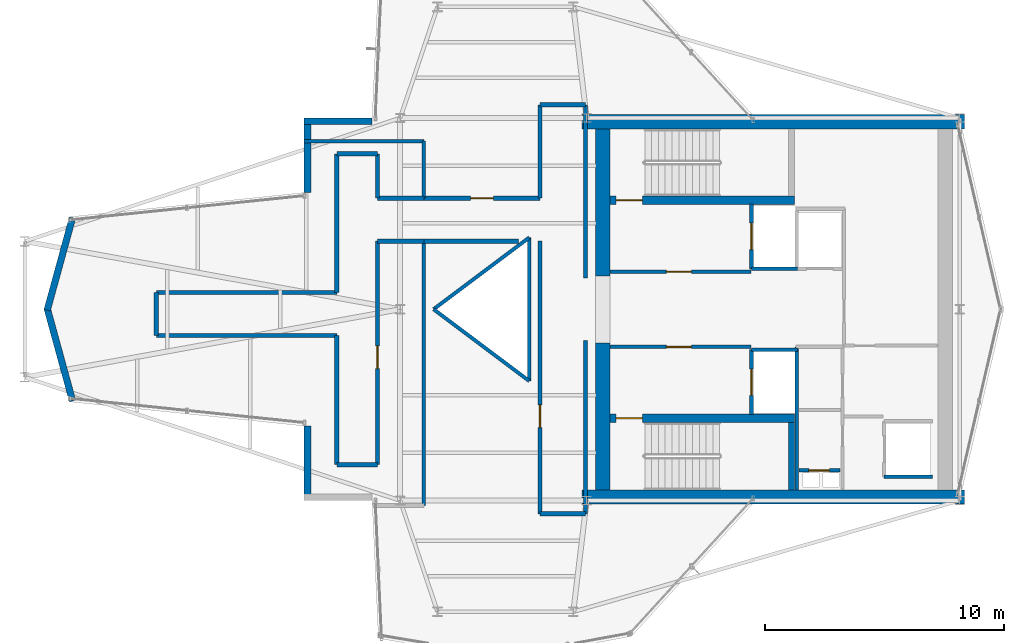
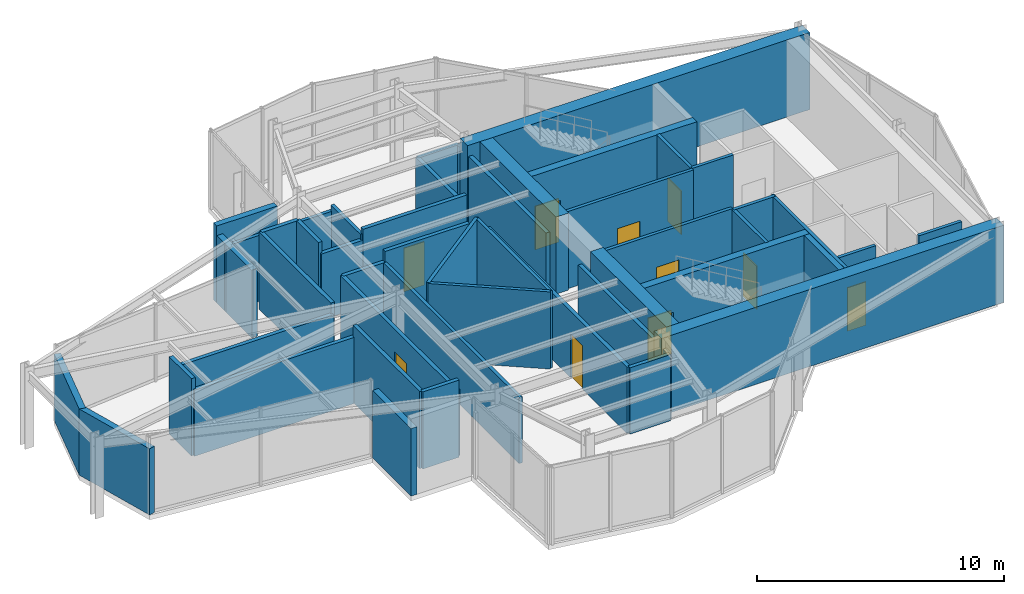
# One storey, part 11 of 13: 46 walls, 10 doors, 10 openings.
"""IFC4 building model written with IfcOpenShell, lengths in metres."""

from ifc_helpers import new_model, si_unit, direction, frame, frame_2d, origin, place, context, subcontext, project, spatial, rectangle, extrude, material, layer, layer_set, type_object, element, fill, save


model = new_model("IFC4")

# Units and contexts
model_context = context("Model", 3, precision=1e-05, world=origin(), true_north=direction((0.0, 1.0)))
body_context = subcontext(model_context, "Body", "Model", "MODEL_VIEW")
ifc_project = project(units=[si_unit("LENGTHUNIT", "METRE"), si_unit("AREAUNIT", "SQUARE_METRE"), si_unit("VOLUMEUNIT", "CUBIC_METRE"), si_unit("PLANEANGLEUNIT", "RADIAN"), si_unit("MASSUNIT", "GRAM", prefix="KILO")], contexts=[model_context])

# Site, building, storey
site_placement = place(None, origin())
site = spatial("IfcSite", under=ifc_project, at=site_placement, CompositionType="ELEMENT")
building_placement = place(site_placement, origin())
building = spatial("IfcBuilding", under=site, at=building_placement, Name="Veymaron Broadcast Tower", CompositionType="ELEMENT")
storey_placement = place(building_placement, frame((0.0, 0.0, 279.0)))
storey = spatial("IfcBuildingStorey", under=building, at=storey_placement, Name="L65", CompositionType="ELEMENT", Elevation=279.0)

# Walls
ifc_material_1 = material(Name="Precast concrete C40/50", Category="concrete")
ifc_layer_1 = layer(ifc_material_1, 0.280029296875)
ifc_layer_set_1 = layer_set([ifc_layer_1], Name="Precast concrete C40/50")
wall_type_1 = type_object("IfcWallType", Name="WALL-EXT-280", PredefinedType="STANDARD", material=ifc_layer_set_1)
wall_1_placement = place(storey_placement, frame((30.02197265625, 31.860107421875, 0.0), z_axis=(0.0, 0.0, 1.0), x_axis=(-1.0, 0.0, 0.0)))
element("IfcWall", 1, at=wall_1_placement, inside=storey, type_object=wall_type_1, Name="L65 notched corner facade pier 9-1", PredefinedType="STANDARD", context=body_context, shape_type="SweptSolid", body=[
    extrude(rectangle(XDim=2.83642578125, YDim=0.280029296875, at=frame_2d((1.418212890625, 0.0))), origin(), (0.0, 0.0, 1.0), 3.81005859375),
])
wall_2_placement = place(storey_placement, frame((27.32568359375, 32.0, 0.0), z_axis=(0.0, 0.0, 1.0), x_axis=(0.0, -1.0, 0.0)))
element("IfcWall", 2, at=wall_2_placement, inside=storey, type_object=wall_type_1, Name="L65 notched corner facade pier 10-1", PredefinedType="STANDARD", context=body_context, shape_type="SweptSolid", body=[
    extrude(rectangle(XDim=3.114013671875, YDim=0.280029296875, at=frame_2d((1.55712890625, 0.0))), origin(), (0.0, 0.0, 1.0), 3.339111328125),
])
for number, where, z_axis, x_axis, name in (
    (3, (17.4951171875, 27.83349609375, 0.0), (0.0, 0.0, 1.0), (-0.264373116581, -0.964420476364, 0.0), "L65 notched corner facade pier 12-1"),
    (4, (16.43408203125, 24.037109375, 0.0), (0.0, 0.0, 1.0), (0.264373116581, -0.964420476364, 0.0), "L65 notched corner facade pier 13-1"),
):
    element("IfcWall", number, at=place(storey_placement, frame(where, z_axis=z_axis, x_axis=x_axis)), inside=storey, type_object=wall_type_1, Name=name, PredefinedType="STANDARD", context=body_context, shape_type="SweptSolid", body=[
        extrude(rectangle(XDim=4.013427734375, YDim=0.280029296875, at=frame_2d((2.0068359375, 0.0))), origin(), (0.0, 0.0, 1.0), 3.27001953125),
    ])
wall_3_placement = place(storey_placement, frame((27.32568359375, 19.114013671875, 0.0), z_axis=(0.0, 0.0, 1.0), x_axis=(0.0, -1.0, 0.0)))
element("IfcWall", 5, at=wall_3_placement, inside=storey, type_object=wall_type_1, Name="L65 notched corner facade pier 15-1", PredefinedType="STANDARD", context=body_context, shape_type="SweptSolid", body=[
    extrude(rectangle(XDim=3.114013671875, YDim=0.280029296875, at=frame_2d((1.55712890625, 0.0))), origin(), (0.0, 0.0, 1.0), 3.339111328125),
])

# Wall, opening, door
ifc_material_2 = material(Name="Gypsum fireboard and steel stud framing", Category="steel")
ifc_layer_2 = layer(ifc_material_2, 0.14990234375)
ifc_layer_set_2 = layer_set([ifc_layer_2], Name="Gypsum fireboard and steel stud framing")
wall_type_2 = type_object("IfcWallType", Name="WALL-FIRE-150", PredefinedType="PARTITIONING", material=ifc_layer_set_2)
wall_4_placement = place(storey_placement, frame((39.97998046875, 25.574951171875, 0.0), z_axis=(0.0, 0.0, 1.0), x_axis=(1.0, 0.0, 0.0)))
wall_4 = element("IfcWall", 6, at=wall_4_placement, inside=storey, type_object=wall_type_2, Name="L65 partition IW-L65-FFLN-S", PredefinedType="PARTITIONING", context=body_context, shape_type="SweptSolid", body=[
    extrude(rectangle(XDim=5.89990234375, YDim=0.14990234375, at=frame_2d((2.949951171875, 0.0))), origin(), (0.0, 0.0, 1.0), 3.81005859375),
])
opening_1_placement = place(wall_4_placement, frame((2.35009765625, 0.0, 0.0)))
opening_1 = element("IfcOpeningElement", 7, at=opening_1_placement, cuts=wall_4, Name="Opening ID-FL1", PredefinedType="OPENING", context=body_context, shape_type="SweptSolid", body=[
    extrude(rectangle(XDim=1.050048828125, YDim=2.14990234375, at=frame_2d((0.52490234375, 1.074951171875))), frame((0.0, 0.0849609375, 0.0), z_axis=(0.0, -1.0, 0.0), x_axis=(1.0, 0.0, 0.0)), (0.0, 0.0, 1.0), 0.169921875),
])
ifc_material_3 = material(Name="Fire-rated painted hollow steel ASTM A653", Category="steel")
door_type_1 = type_object("IfcDoorType", Name="DOOR-FIRE-1050", OperationType="NOTDEFINED", PredefinedType="DOOR", material=ifc_material_3)
door_1_placement = place(opening_1_placement, origin())
door_1 = element("IfcDoor", 8, at=door_1_placement, inside=storey, type_object=door_type_1, Name="L65 door DR-L65-FFLN", OperationType="SINGLE_SWING_LEFT", OverallHeight=2.14990234375, OverallWidth=1.050048828125, PredefinedType="DOOR", context=body_context, shape_type="SweptSolid", body=[
    extrude(rectangle(XDim=1.050048828125, YDim=2.14990234375, at=frame_2d((0.52490234375, 1.074951171875))), frame((0.0, 0.02490234375, 0.0), z_axis=(0.0, -1.0, 0.0), x_axis=(1.0, 0.0, 0.0)), (0.0, 0.0, 1.0), 0.050048828125),
])
fill(opening_1, door_1)

wall_5_placement = place(storey_placement, frame((39.97998046875, 22.425048828125, 0.0), z_axis=(0.0, 0.0, 1.0), x_axis=(1.0, 0.0, 0.0)))
wall_5 = element("IfcWall", 9, at=wall_5_placement, inside=storey, type_object=wall_type_2, Name="L65 partition IW-L65-FFLS-N", PredefinedType="PARTITIONING", context=body_context, shape_type="SweptSolid", body=[
    extrude(rectangle(XDim=5.89990234375, YDim=0.14990234375, at=frame_2d((2.949951171875, 0.0))), origin(), (0.0, 0.0, 1.0), 3.81005859375),
])
opening_2_placement = place(wall_5_placement, frame((2.35009765625, 0.0, 0.0)))
opening_2 = element("IfcOpeningElement", 10, at=opening_2_placement, cuts=wall_5, Name="Opening ID-FL1", PredefinedType="OPENING", context=body_context, shape_type="SweptSolid", body=[
    extrude(rectangle(XDim=1.050048828125, YDim=2.14990234375, at=frame_2d((0.52490234375, 1.074951171875))), frame((0.0, 0.0849609375, 0.0), z_axis=(0.0, -1.0, 0.0), x_axis=(1.0, 0.0, 0.0)), (0.0, 0.0, 1.0), 0.169921875),
])
door_2_placement = place(opening_2_placement, frame((1.050048828125, 0.0, 0.0), z_axis=(0.0, 0.0, 1.0), x_axis=(-1.0, 0.0, 0.0)))
door_2 = element("IfcDoor", 11, at=door_2_placement, inside=storey, type_object=door_type_1, Name="L65 door DR-L65-FFLS", OperationType="SINGLE_SWING_RIGHT", OverallHeight=2.14990234375, OverallWidth=1.050048828125, PredefinedType="DOOR", context=body_context, shape_type="SweptSolid", body=[
    extrude(rectangle(XDim=1.050048828125, YDim=2.14990234375, at=frame_2d((0.52490234375, 1.074951171875))), frame((0.0, 0.02490234375, 0.0), z_axis=(0.0, -1.0, 0.0), x_axis=(1.0, 0.0, 0.0)), (0.0, 0.0, 1.0), 0.050048828125),
])
fill(opening_2, door_2)

wall_6_placement = place(storey_placement, frame((45.89501953125, 25.68994140625, 0.0), z_axis=(0.0, 0.0, 1.0), x_axis=(0.0, 1.0, 0.0)))
wall_6 = element("IfcWall", 12, at=wall_6_placement, inside=storey, type_object=wall_type_2, Name="L65 partition IW-L65-SHW-FFL-1", PredefinedType="PARTITIONING", context=body_context, shape_type="SweptSolid", body=[
    extrude(rectangle(XDim=2.719970703125, YDim=0.14990234375, at=frame_2d((1.35986328125, 0.0))), origin(), (0.0, 0.0, 1.0), 3.81005859375),
])
opening_3_placement = place(wall_6_placement, frame((0.81005859375, 0.0, 0.0)))
opening_3 = element("IfcOpeningElement", 13, at=opening_3_placement, cuts=wall_6, Name="Opening LD", PredefinedType="OPENING", context=body_context, shape_type="SweptSolid", body=[
    extrude(rectangle(XDim=1.10009765625, YDim=2.14990234375, at=frame_2d((0.550048828125, 1.074951171875))), frame((0.0, 0.0849609375, 0.0), z_axis=(0.0, -1.0, 0.0), x_axis=(1.0, 0.0, 0.0)), (0.0, 0.0, 1.0), 0.169921875),
])
ifc_material_4 = material(Name="Brushed stainless steel AISI 304", Category="steel")
door_type_2 = type_object("IfcDoorType", Name="DOOR-LIFT-1100", OperationType="DOUBLE_DOOR_SLIDING", PredefinedType="DOOR", material=ifc_material_4)
door_3_placement = place(opening_3_placement, frame((1.10009765625, 0.0, 0.0), z_axis=(0.0, 0.0, 1.0), x_axis=(-1.0, 0.0, 0.0)))
door_3 = element("IfcDoor", 14, at=door_3_placement, inside=storey, type_object=door_type_2, Name="L65 door LD-L65-FFL-1", OperationType="DOUBLE_DOOR_SLIDING", OverallHeight=2.14990234375, OverallWidth=1.10009765625, PredefinedType="DOOR", context=body_context, shape_type="SweptSolid", body=[
    extrude(rectangle(XDim=1.10009765625, YDim=2.14990234375, at=frame_2d((0.550048828125, 1.074951171875))), frame((0.0, 0.02490234375, 0.0), z_axis=(0.0, -1.0, 0.0), x_axis=(1.0, 0.0, 0.0)), (0.0, 0.0, 1.0), 0.050048828125),
])
fill(opening_3, door_3)

# Wall
wall_7_placement = place(storey_placement, frame((45.89501953125, 25.68994140625, 0.0), z_axis=(0.0, 0.0, 1.0), x_axis=(1.0, 0.0, 0.0)))
element("IfcWall", 15, at=wall_7_placement, inside=storey, type_object=wall_type_2, Name="L65 partition IW-L65-SHS-FFL-1", PredefinedType="PARTITIONING", context=body_context, shape_type="SweptSolid", body=[
    extrude(rectangle(XDim=1.9150390625, YDim=0.14990234375, at=frame_2d((0.95751953125, 0.0))), origin(), (0.0, 0.0, 1.0), 3.81005859375),
])

# Wall, opening, door
wall_8_placement = place(storey_placement, frame((45.89501953125, 19.590087890625, 0.0), z_axis=(0.0, 0.0, 1.0), x_axis=(0.0, 1.0, 0.0)))
wall_8 = element("IfcWall", 16, at=wall_8_placement, inside=storey, type_object=wall_type_2, Name="L65 partition IW-L65-SHW-FFL-2", PredefinedType="PARTITIONING", context=body_context, shape_type="SweptSolid", body=[
    extrude(rectangle(XDim=2.719970703125, YDim=0.14990234375, at=frame_2d((1.35986328125, 0.0))), origin(), (0.0, 0.0, 1.0), 3.81005859375),
])
opening_4_placement = place(wall_8_placement, frame((0.81005859375, 0.0, 0.0)))
opening_4 = element("IfcOpeningElement", 17, at=opening_4_placement, cuts=wall_8, Name="Opening LD", PredefinedType="OPENING", context=body_context, shape_type="SweptSolid", body=[
    extrude(rectangle(XDim=1.10009765625, YDim=2.14990234375, at=frame_2d((0.550048828125, 1.074951171875))), frame((0.0, 0.0849609375, 0.0), z_axis=(0.0, -1.0, 0.0), x_axis=(1.0, 0.0, 0.0)), (0.0, 0.0, 1.0), 0.169921875),
])
door_4_placement = place(opening_4_placement, frame((1.10009765625, 0.0, 0.0), z_axis=(0.0, 0.0, 1.0), x_axis=(-1.0, 0.0, 0.0)))
door_4 = element("IfcDoor", 18, at=door_4_placement, inside=storey, type_object=door_type_2, Name="L65 door LD-L65-FFL-2", OperationType="DOUBLE_DOOR_SLIDING", OverallHeight=2.14990234375, OverallWidth=1.10009765625, PredefinedType="DOOR", context=body_context, shape_type="SweptSolid", body=[
    extrude(rectangle(XDim=1.10009765625, YDim=2.14990234375, at=frame_2d((0.550048828125, 1.074951171875))), frame((0.0, 0.02490234375, 0.0), z_axis=(0.0, -1.0, 0.0), x_axis=(1.0, 0.0, 0.0)), (0.0, 0.0, 1.0), 0.050048828125),
])
fill(opening_4, door_4)

# Walls
wall_9_placement = place(storey_placement, frame((45.89501953125, 22.31005859375, 0.0), z_axis=(0.0, 0.0, 1.0), x_axis=(1.0, 0.0, 0.0)))
element("IfcWall", 19, at=wall_9_placement, inside=storey, type_object=wall_type_2, Name="L65 partition IW-L65-SHN-FFL-2", PredefinedType="PARTITIONING", context=body_context, shape_type="SweptSolid", body=[
    extrude(rectangle(XDim=1.9150390625, YDim=0.14990234375, at=frame_2d((0.95751953125, 0.0))), origin(), (0.0, 0.0, 1.0), 3.81005859375),
])
wall_10_placement = place(storey_placement, frame((51.445068359375, 16.989990234375, 0.0), z_axis=(0.0, 0.0, 1.0), x_axis=(1.0, 0.0, 0.0)))
element("IfcWall", 20, at=wall_10_placement, inside=storey, type_object=wall_type_2, Name="L65 partition IW-L65-SHS-PH1", PredefinedType="PARTITIONING", context=body_context, shape_type="SweptSolid", body=[
    extrude(rectangle(XDim=2.014892578125, YDim=0.14990234375, at=frame_2d((1.00732421875, 0.0))), origin(), (0.0, 0.0, 1.0), 3.81005859375),
])

# Wall, opening, door
wall_11_placement = place(storey_placement, frame((47.8798828125, 17.260009765625, 0.0), z_axis=(0.0, 0.0, 1.0), x_axis=(1.0, 0.0, 0.0)))
wall_11 = element("IfcWall", 21, at=wall_11_placement, inside=storey, type_object=wall_type_2, Name="L65 partition IW-L65-RIS-N", PredefinedType="PARTITIONING", context=body_context, shape_type="SweptSolid", body=[
    extrude(rectangle(XDim=1.72021484375, YDim=0.14990234375, at=frame_2d((0.860107421875, 0.0))), origin(), (0.0, 0.0, 1.0), 3.81005859375),
])
opening_5_placement = place(wall_11_placement, frame((0.419921875, 0.0, 0.0)))
opening_5 = element("IfcOpeningElement", 22, at=opening_5_placement, cuts=wall_11, Name="Opening ID-RS1", PredefinedType="OPENING", context=body_context, shape_type="SweptSolid", body=[
    extrude(rectangle(XDim=0.85009765625, YDim=2.14990234375, at=frame_2d((0.425048828125, 1.074951171875))), frame((0.0, 0.0849609375, 0.0), z_axis=(0.0, -1.0, 0.0), x_axis=(1.0, 0.0, 0.0)), (0.0, 0.0, 1.0), 0.169921875),
])
ifc_material_5 = material(Name="Fire-rated powder-coated steel riser leaf", Category="steel")
door_type_3 = type_object("IfcDoorType", Name="DOOR-RIS-850", OperationType="NOTDEFINED", PredefinedType="TRAPDOOR", material=ifc_material_5)
door_5_placement = place(opening_5_placement, origin())
door_5 = element("IfcDoor", 23, at=door_5_placement, inside=storey, type_object=door_type_3, Name="L65 door DR-L65-RIS", OperationType="SINGLE_SWING_LEFT", OverallHeight=2.14990234375, OverallWidth=0.85009765625, PredefinedType="TRAPDOOR", context=body_context, shape_type="SweptSolid", body=[
    extrude(rectangle(XDim=0.85009765625, YDim=2.14990234375, at=frame_2d((0.425048828125, 1.074951171875))), frame((0.0, 0.02490234375, 0.0), z_axis=(0.0, -1.0, 0.0), x_axis=(1.0, 0.0, 0.0)), (0.0, 0.0, 1.0), 0.050048828125),
])
fill(opening_5, door_5)

# Wall
wall_12_placement = place(storey_placement, frame((47.780029296875, 16.449951171875, 0.0), z_axis=(0.0, 0.0, 1.0), x_axis=(0.0, 1.0, 0.0)))
element("IfcWall", 24, at=wall_12_placement, inside=storey, type_object=wall_type_2, Name="L65 partition IW-L65-SM-W", PredefinedType="PARTITIONING", context=body_context, shape_type="SweptSolid", body=[
    extrude(rectangle(XDim=5.97509765625, YDim=0.14990234375, at=frame_2d((2.987548828125, 0.0))), origin(), (0.0, 0.0, 1.0), 3.81005859375),
])

# Wall, opening, door
ifc_material_6 = material(Name="Concrete C40/50", Category="concrete")
ifc_layer_3 = layer(ifc_material_6, 0.179931640625)
ifc_layer_set_3 = layer_set([ifc_layer_3], Name="Concrete C40/50")
wall_type_3 = type_object("IfcWallType", Name="WALL-FIRE-180", PredefinedType="SOLIDWALL", material=ifc_layer_set_3)
wall_13_placement = place(storey_placement, frame((37.050048828125, 15.44677734375, 0.0), z_axis=(0.0, 0.0, 1.0), x_axis=(0.0, 1.0, 0.0)))
wall_13 = element("IfcWall", 25, at=wall_13_placement, inside=storey, type_object=wall_type_3, Name="L65 partition IW-L65-P01", PredefinedType="SOLIDWALL", context=body_context, shape_type="SweptSolid", body=[
    extrude(rectangle(XDim=11.4033203125, YDim=0.179931640625, at=frame_2d((5.70166015625, 0.0))), origin(), (0.0, 0.0, 1.0), 3.27001953125),
])
opening_6_placement = place(wall_13_placement, frame((3.606689453125, 0.0, 0.0)))
opening_6 = element("IfcOpeningElement", 26, at=opening_6_placement, cuts=wall_13, Name="Opening ID-RM1", PredefinedType="OPENING", context=body_context, shape_type="SweptSolid", body=[
    extrude(rectangle(XDim=0.949951171875, YDim=2.14990234375, at=frame_2d((0.47509765625, 1.074951171875))), frame((0.0, 0.10009765625, 0.0), z_axis=(0.0, -1.0, 0.0), x_axis=(1.0, 0.0, 0.0)), (0.0, 0.0, 1.0), 0.199951171875),
])
ifc_material_7 = material(Name="Acoustic solid-core European oak veneer timber", Category="wood")
door_type_4 = type_object("IfcDoorType", Name="DOOR-INT-950", OperationType="NOTDEFINED", PredefinedType="DOOR", material=ifc_material_7)
door_6_placement = place(opening_6_placement, frame((0.949951171875, 0.0, 0.0), z_axis=(0.0, 0.0, 1.0), x_axis=(-1.0, 0.0, 0.0)))
door_6 = element("IfcDoor", 27, at=door_6_placement, inside=storey, type_object=door_type_4, Name="L65 door DR-L65-P01", OperationType="SINGLE_SWING_RIGHT", OverallHeight=2.14990234375, OverallWidth=0.949951171875, PredefinedType="DOOR", context=body_context, shape_type="SweptSolid", body=[
    extrude(rectangle(XDim=0.949951171875, YDim=2.14990234375, at=frame_2d((0.47509765625, 1.074951171875))), frame((0.0, 0.02490234375, 0.0), z_axis=(0.0, -1.0, 0.0), x_axis=(1.0, 0.0, 0.0)), (0.0, 0.0, 1.0), 0.050048828125),
])
fill(opening_6, door_6)

wall_14_placement = place(storey_placement, frame((30.25, 17.5, 0.0), z_axis=(0.0, 0.0, 1.0), x_axis=(0.0, 1.0, 0.0)))
wall_14 = element("IfcWall", 28, at=wall_14_placement, inside=storey, type_object=wall_type_3, Name="L65 partition IW-L65-P05", PredefinedType="SOLIDWALL", context=body_context, shape_type="SweptSolid", body=[
    extrude(rectangle(XDim=9.35009765625, YDim=0.179931640625, at=frame_2d((4.675048828125, 0.0))), origin(), (0.0, 0.0, 1.0), 3.27001953125),
])
opening_7_placement = place(wall_14_placement, frame((4.02001953125, 0.0, 0.0)))
opening_7 = element("IfcOpeningElement", 29, at=opening_7_placement, cuts=wall_14, Name="Opening ID-RM1", PredefinedType="OPENING", context=body_context, shape_type="SweptSolid", body=[
    extrude(rectangle(XDim=0.949951171875, YDim=2.14990234375, at=frame_2d((0.47509765625, 1.074951171875))), frame((0.0, 0.10009765625, 0.0), z_axis=(0.0, -1.0, 0.0), x_axis=(1.0, 0.0, 0.0)), (0.0, 0.0, 1.0), 0.199951171875),
])
door_7_placement = place(opening_7_placement, frame((0.949951171875, 0.0, 0.0), z_axis=(0.0, 0.0, 1.0), x_axis=(-1.0, 0.0, 0.0)))
door_7 = element("IfcDoor", 30, at=door_7_placement, inside=storey, type_object=door_type_4, Name="L65 door DR-L65-P05", OperationType="SINGLE_SWING_RIGHT", OverallHeight=2.14990234375, OverallWidth=0.949951171875, PredefinedType="DOOR", context=body_context, shape_type="SweptSolid", body=[
    extrude(rectangle(XDim=0.949951171875, YDim=2.14990234375, at=frame_2d((0.47509765625, 1.074951171875))), frame((0.0, 0.02490234375, 0.0), z_axis=(0.0, -1.0, 0.0), x_axis=(1.0, 0.0, 0.0)), (0.0, 0.0, 1.0), 0.050048828125),
])
fill(opening_7, door_7)

wall_15_placement = place(storey_placement, frame((32.194091796875, 28.64990234375, 0.0), z_axis=(0.0, 0.0, 1.0), x_axis=(1.0, 0.0, 0.0)))
wall_15 = element("IfcWall", 31, at=wall_15_placement, inside=storey, type_object=wall_type_3, Name="L65 partition IW-L65-P17", PredefinedType="SOLIDWALL", context=body_context, shape_type="SweptSolid", body=[
    extrude(rectangle(XDim=4.85595703125, YDim=0.179931640625, at=frame_2d((2.427978515625, 0.0))), origin(), (0.0, 0.0, 1.0), 3.81005859375),
])
opening_8_placement = place(wall_15_placement, frame((1.952880859375, 0.0, 0.0)))
opening_8 = element("IfcOpeningElement", 32, at=opening_8_placement, cuts=wall_15, Name="Opening ID-RM1", PredefinedType="OPENING", context=body_context, shape_type="SweptSolid", body=[
    extrude(rectangle(XDim=0.949951171875, YDim=2.14990234375, at=frame_2d((0.47509765625, 1.074951171875))), frame((0.0, 0.10009765625, 0.0), z_axis=(0.0, -1.0, 0.0), x_axis=(1.0, 0.0, 0.0)), (0.0, 0.0, 1.0), 0.199951171875),
])
door_8_placement = place(opening_8_placement, origin())
door_8 = element("IfcDoor", 33, at=door_8_placement, inside=storey, type_object=door_type_4, Name="L65 door DR-L65-P17", OperationType="SINGLE_SWING_RIGHT", OverallHeight=2.14990234375, OverallWidth=0.949951171875, PredefinedType="DOOR", context=body_context, shape_type="SweptSolid", body=[
    extrude(rectangle(XDim=0.949951171875, YDim=2.14990234375, at=frame_2d((0.47509765625, 1.074951171875))), frame((0.0, 0.02490234375, 0.0), z_axis=(0.0, -1.0, 0.0), x_axis=(1.0, 0.0, 0.0)), (0.0, 0.0, 1.0), 0.050048828125),
])
fill(opening_8, door_8)

# Walls
wall_16_placement = place(storey_placement, frame((38.949951171875, 15.44677734375, 0.0), z_axis=(0.0, 0.0, 1.0), x_axis=(0.0, 1.0, 0.0)))
element("IfcWall", 34, at=wall_16_placement, inside=storey, type_object=wall_type_3, Name="L65 partition IW-L65-P02", PredefinedType="SOLIDWALL", context=body_context, shape_type="SweptSolid", body=[
    extrude(rectangle(XDim=7.253173828125, YDim=0.179931640625, at=frame_2d((3.62646484375, 0.0))), origin(), (0.0, 0.0, 1.0), 3.27001953125),
])
wall_17_placement = place(storey_placement, frame((32.194091796875, 26.85009765625, 0.0), z_axis=(0.0, 0.0, 1.0), x_axis=(1.0, 0.0, 0.0)))
element("IfcWall", 35, at=wall_17_placement, inside=storey, type_object=wall_type_3, Name="L65 partition IW-L65-P03", PredefinedType="SOLIDWALL", context=body_context, shape_type="SweptSolid", body=[
    extrude(rectangle(XDim=3.955810546875, YDim=0.179931640625, at=frame_2d((1.97802734375, 0.0))), origin(), (0.0, 0.0, 1.0), 3.81005859375),
])
wall_18_placement = place(storey_placement, frame((37.050048828125, 15.44677734375, 0.0), z_axis=(0.0, 0.0, 1.0), x_axis=(1.0, 0.0, 0.0)))
element("IfcWall", 36, at=wall_18_placement, inside=storey, type_object=wall_type_3, Name="L65 partition IW-L65-P04", PredefinedType="SOLIDWALL", context=body_context, shape_type="SweptSolid", body=[
    extrude(rectangle(XDim=1.89990234375, YDim=0.179931640625, at=frame_2d((0.949951171875, 0.0))), origin(), (0.0, 0.0, 1.0), 3.27001953125),
])
for number, where, z_axis, x_axis, name in (
    (37, (21.0, 22.89990234375, 0.0), (0.0, 0.0, 1.0), (1.0, 0.0, 0.0), "L65 partition IW-L65-P06"),
    (38, (21.0, 24.699951171875, 0.0), (0.0, 0.0, 1.0), (1.0, 0.0, 0.0), "L65 partition IW-L65-P07"),
):
    element("IfcWall", number, at=place(storey_placement, frame(where, z_axis=z_axis, x_axis=x_axis)), inside=storey, type_object=wall_type_3, Name=name, PredefinedType="SOLIDWALL", context=body_context, shape_type="SweptSolid", body=[
        extrude(rectangle(XDim=7.550048828125, YDim=0.179931640625, at=frame_2d((3.77490234375, 0.0))), origin(), (0.0, 0.0, 1.0), 3.27001953125),
    ])
wall_19_placement = place(storey_placement, frame((28.550048828125, 24.699951171875, 0.0), z_axis=(0.0, 0.0, 1.0), x_axis=(0.0, 1.0, 0.0)))
element("IfcWall", 39, at=wall_19_placement, inside=storey, type_object=wall_type_3, Name="L65 partition IW-L65-P08", PredefinedType="SOLIDWALL", context=body_context, shape_type="SweptSolid", body=[
    extrude(rectangle(XDim=5.800048828125, YDim=0.179931640625, at=frame_2d((2.89990234375, 0.0))), origin(), (0.0, 0.0, 1.0), 3.81005859375),
])
wall_20_placement = place(storey_placement, frame((28.550048828125, 17.5, 0.0), z_axis=(0.0, 0.0, 1.0), x_axis=(0.0, 1.0, 0.0)))
element("IfcWall", 40, at=wall_20_placement, inside=storey, type_object=wall_type_3, Name="L65 partition IW-L65-P09", PredefinedType="SOLIDWALL", context=body_context, shape_type="SweptSolid", body=[
    extrude(rectangle(XDim=5.39990234375, YDim=0.179931640625, at=frame_2d((2.699951171875, 0.0))), origin(), (0.0, 0.0, 1.0), 3.81005859375),
])
for number, where, z_axis, x_axis, name in (
    (41, (30.25, 26.85009765625, 0.0), (0.0, 0.0, 1.0), (1.0, 0.0, 0.0), "L65 partition IW-L65-P10"),
    (42, (30.25, 28.64990234375, 0.0), (0.0, 0.0, 1.0), (1.0, 0.0, 0.0), "L65 partition IW-L65-P11"),
):
    element("IfcWall", number, at=place(storey_placement, frame(where, z_axis=z_axis, x_axis=x_axis)), inside=storey, type_object=wall_type_3, Name=name, PredefinedType="SOLIDWALL", context=body_context, shape_type="SweptSolid", body=[
        extrude(rectangle(XDim=1.944091796875, YDim=0.179931640625, at=frame_2d((0.97216796875, 0.0))), origin(), (0.0, 0.0, 1.0), 3.27001953125),
    ])
wall_21_placement = place(storey_placement, frame((30.25, 28.64990234375, 0.0), z_axis=(0.0, 0.0, 1.0), x_axis=(0.0, 1.0, 0.0)))
element("IfcWall", 43, at=wall_21_placement, inside=storey, type_object=wall_type_3, Name="L65 partition IW-L65-P12", PredefinedType="SOLIDWALL", context=body_context, shape_type="SweptSolid", body=[
    extrude(rectangle(XDim=1.85009765625, YDim=0.179931640625, at=frame_2d((0.925048828125, 0.0))), origin(), (0.0, 0.0, 1.0), 3.81005859375),
])
wall_22_placement = place(storey_placement, frame((21.0, 22.89990234375, 0.0), z_axis=(0.0, 0.0, 1.0), x_axis=(0.0, 1.0, 0.0)))
element("IfcWall", 44, at=wall_22_placement, inside=storey, type_object=wall_type_3, Name="L65 partition IW-L65-P13", PredefinedType="SOLIDWALL", context=body_context, shape_type="SweptSolid", body=[
    extrude(rectangle(XDim=1.800048828125, YDim=0.179931640625, at=frame_2d((0.89990234375, 0.0))), origin(), (0.0, 0.0, 1.0), 3.81005859375),
])
for number, where, z_axis, x_axis, name in (
    (45, (28.550048828125, 17.5, 0.0), (0.0, 0.0, 1.0), (1.0, 0.0, 0.0), "L65 partition IW-L65-P14"),
    (46, (28.550048828125, 30.5, 0.0), (0.0, 0.0, 1.0), (1.0, 0.0, 0.0), "L65 partition IW-L65-P15"),
):
    element("IfcWall", number, at=place(storey_placement, frame(where, z_axis=z_axis, x_axis=x_axis)), inside=storey, type_object=wall_type_3, Name=name, PredefinedType="SOLIDWALL", context=body_context, shape_type="SweptSolid", body=[
        extrude(rectangle(XDim=1.699951171875, YDim=0.179931640625, at=frame_2d((0.85009765625, 0.0))), origin(), (0.0, 0.0, 1.0), 3.81005859375),
    ])
wall_23_placement = place(storey_placement, frame((38.949951171875, 25.300048828125, 0.0), z_axis=(0.0, 0.0, 1.0), x_axis=(0.0, 1.0, 0.0)))
element("IfcWall", 47, at=wall_23_placement, inside=storey, type_object=wall_type_3, Name="L65 partition IW-L65-P16", PredefinedType="SOLIDWALL", context=body_context, shape_type="SweptSolid", body=[
    extrude(rectangle(XDim=7.253173828125, YDim=0.179931640625, at=frame_2d((3.62646484375, 0.0))), origin(), (0.0, 0.0, 1.0), 3.27001953125),
])
wall_24_placement = place(storey_placement, frame((37.050048828125, 28.64990234375, 0.0), z_axis=(0.0, 0.0, 1.0), x_axis=(0.0, 1.0, 0.0)))
element("IfcWall", 48, at=wall_24_placement, inside=storey, type_object=wall_type_3, Name="L65 partition IW-L65-P18", PredefinedType="SOLIDWALL", context=body_context, shape_type="SweptSolid", body=[
    extrude(rectangle(XDim=3.9033203125, YDim=0.179931640625, at=frame_2d((1.95166015625, 0.0))), origin(), (0.0, 0.0, 1.0), 3.27001953125),
])
wall_25_placement = place(storey_placement, frame((37.050048828125, 32.55322265625, 0.0), z_axis=(0.0, 0.0, 1.0), x_axis=(1.0, 0.0, 0.0)))
element("IfcWall", 49, at=wall_25_placement, inside=storey, type_object=wall_type_3, Name="L65 partition IW-L65-P19", PredefinedType="SOLIDWALL", context=body_context, shape_type="SweptSolid", body=[
    extrude(rectangle(XDim=1.89990234375, YDim=0.179931640625, at=frame_2d((0.949951171875, 0.0))), origin(), (0.0, 0.0, 1.0), 3.27001953125),
])
ifc_material_8 = material(Name="Fire-rated laminated glass in aluminium frame", Category="aluminium")
ifc_layer_4 = layer(ifc_material_8, 0.14990234375)
ifc_layer_set_4 = layer_set([ifc_layer_4], Name="Fire-rated laminated glass in aluminium frame")
wall_type_4 = type_object("IfcWallType", Name="WALL-GLZ-150", PredefinedType="MOVABLE", material=ifc_layer_set_4)
wall_26_placement = place(storey_placement, frame((32.194091796875, 15.7939453125, 0.0), z_axis=(0.0, 0.0, 1.0), x_axis=(0.0, 1.0, 0.0)))
element("IfcWall", 50, at=wall_26_placement, inside=storey, type_object=wall_type_4, Name="L65 partition IW-L65-P20", PredefinedType="MOVABLE", context=body_context, shape_type="SweptSolid", body=[
    extrude(rectangle(XDim=11.05615234375, YDim=0.14990234375, at=frame_2d((5.528076171875, 0.0))), origin(), (0.0, 0.0, 1.0), 3.27001953125),
])
wall_27_placement = place(storey_placement, frame((27.185546875, 31.033935546875, 0.0), z_axis=(0.0, 0.0, 1.0), x_axis=(1.0, 0.0, 0.0)))
element("IfcWall", 51, at=wall_27_placement, inside=storey, type_object=wall_type_4, Name="L65 partition IW-L65-P22", PredefinedType="MOVABLE", context=body_context, shape_type="SweptSolid", body=[
    extrude(rectangle(XDim=5.008544921875, YDim=0.14990234375, at=frame_2d((2.50439453125, 0.0))), origin(), (0.0, 0.0, 1.0), 3.27001953125),
])
wall_28_placement = place(storey_placement, frame((32.194091796875, 28.64990234375, 0.0), z_axis=(0.0, 0.0, 1.0), x_axis=(0.0, 1.0, 0.0)))
element("IfcWall", 52, at=wall_28_placement, inside=storey, type_object=wall_type_4, Name="L65 partition IW-L65-P23", PredefinedType="MOVABLE", context=body_context, shape_type="SweptSolid", body=[
    extrude(rectangle(XDim=2.384033203125, YDim=0.14990234375, at=frame_2d((1.19189453125, 0.0))), origin(), (0.0, 0.0, 1.0), 3.5400390625),
])
wall_29_placement = place(storey_placement, frame((32.60009765625, 24.0, 0.0), z_axis=(0.0, 0.0, 1.0), x_axis=(0.8, -0.6, 0.0)))
element("IfcWall", 53, at=wall_29_placement, inside=storey, type_object=wall_type_4, Name="L65 partition IW-L65-ATR1", PredefinedType="MOVABLE", context=body_context, shape_type="SweptSolid", body=[
    extrude(rectangle(XDim=5.0, YDim=0.14990234375, at=frame_2d((2.5, 0.0))), origin(), (0.0, 0.0, 1.0), 3.81005859375),
])
wall_30_placement = place(storey_placement, frame((36.60009765625, 21.0, 0.0), z_axis=(0.0, 0.0, 1.0), x_axis=(0.0, 1.0, 0.0)))
element("IfcWall", 54, at=wall_30_placement, inside=storey, type_object=wall_type_4, Name="L65 partition IW-L65-ATR2", PredefinedType="MOVABLE", context=body_context, shape_type="SweptSolid", body=[
    extrude(rectangle(XDim=6.0, YDim=0.14990234375, at=frame_2d((3.0, 0.0))), origin(), (0.0, 0.0, 1.0), 3.81005859375),
])
wall_31_placement = place(storey_placement, frame((36.60009765625, 27.0, 0.0), z_axis=(0.0, 0.0, 1.0), x_axis=(-0.8, -0.6, 0.0)))
element("IfcWall", 55, at=wall_31_placement, inside=storey, type_object=wall_type_4, Name="L65 partition IW-L65-ATR3", PredefinedType="MOVABLE", context=body_context, shape_type="SweptSolid", body=[
    extrude(rectangle(XDim=5.0, YDim=0.14990234375, at=frame_2d((2.5, 0.0))), origin(), (0.0, 0.0, 1.0), 3.81005859375),
])
ifc_material_9 = material(Name="Concrete C50/60", Category="concrete")
ifc_layer_5 = layer(ifc_material_9, 0.25)
ifc_layer_set_5 = layer_set([ifc_layer_5], Name="Concrete C50/60")
wall_type_5 = type_object("IfcWallType", Name="WALL-SHEAR-250", PredefinedType="SHEAR", material=ifc_layer_set_5)
wall_32_placement = place(storey_placement, frame((47.56494140625, 16.449951171875, 0.0), z_axis=(0.0, 0.0, 1.0), x_axis=(0.0, 1.0, 0.0)))
element("IfcWall", 56, at=wall_32_placement, inside=storey, type_object=wall_type_5, Name="L65 Core Wall south stair east shear", PredefinedType="SHEAR", context=body_context, shape_type="SweptSolid", body=[
    extrude(rectangle(XDim=2.820068359375, YDim=0.25, at=frame_2d((1.41015625, 0.0))), origin(), (0.0, 0.0, 1.0), 3.81005859375),
])

# Wall, opening, door
ifc_layer_6 = layer(ifc_material_9, 0.35009765625)
ifc_layer_set_6 = layer_set([ifc_layer_6], Name="Concrete C50/60")
wall_type_6 = type_object("IfcWallType", Name="WALL-SHEAR-350", PredefinedType="SHEAR", material=ifc_layer_set_6)
wall_33_placement = place(storey_placement, frame((39.97998046875, 28.554931640625, 0.0), z_axis=(0.0, 0.0, 1.0), x_axis=(1.0, 0.0, 0.0)))
wall_33 = element("IfcWall", 57, at=wall_33_placement, inside=storey, type_object=wall_type_6, Name="L65 Core Wall north stair spine", PredefinedType="SHEAR", context=body_context, shape_type="SweptSolid", body=[
    extrude(rectangle(XDim=7.7099609375, YDim=0.35009765625, at=frame_2d((3.85498046875, 0.0))), origin(), (0.0, 0.0, 1.0), 3.81005859375),
])
opening_9_placement = place(wall_33_placement, frame((0.25, 0.0, 0.0)))
opening_9 = element("IfcOpeningElement", 58, at=opening_9_placement, cuts=wall_33, Name="Opening ID-ST1", PredefinedType="OPENING", context=body_context, shape_type="SweptSolid", body=[
    extrude(rectangle(XDim=1.10009765625, YDim=2.14990234375, at=frame_2d((0.550048828125, 1.074951171875))), frame((0.0, 0.18505859375, 0.0), z_axis=(0.0, -1.0, 0.0), x_axis=(1.0, 0.0, 0.0)), (0.0, 0.0, 1.0), 0.3701171875),
])
door_type_5 = type_object("IfcDoorType", Name="DOOR-STAIR-1100", OperationType="NOTDEFINED", PredefinedType="DOOR", material=ifc_material_3)
door_9_placement = place(opening_9_placement, origin())
door_9 = element("IfcDoor", 59, at=door_9_placement, inside=storey, type_object=door_type_5, Name="L65 exit stair ST1 fire door", OperationType="SINGLE_SWING_RIGHT", OverallHeight=2.14990234375, OverallWidth=1.10009765625, PredefinedType="DOOR", context=body_context, shape_type="SweptSolid", body=[
    extrude(rectangle(XDim=1.10009765625, YDim=2.14990234375, at=frame_2d((0.550048828125, 1.074951171875))), frame((0.0, 0.02490234375, 0.0), z_axis=(0.0, -1.0, 0.0), x_axis=(1.0, 0.0, 0.0)), (0.0, 0.0, 1.0), 0.050048828125),
])
fill(opening_9, door_9)

wall_34_placement = place(storey_placement, frame((39.97998046875, 19.445068359375, 0.0), z_axis=(0.0, 0.0, 1.0), x_axis=(1.0, 0.0, 0.0)))
wall_34 = element("IfcWall", 60, at=wall_34_placement, inside=storey, type_object=wall_type_6, Name="L65 Core Wall south stair spine", PredefinedType="SHEAR", context=body_context, shape_type="SweptSolid", body=[
    extrude(rectangle(XDim=7.7099609375, YDim=0.35009765625, at=frame_2d((3.85498046875, 0.0))), origin(), (0.0, 0.0, 1.0), 3.81005859375),
])
opening_10_placement = place(wall_34_placement, frame((0.25, 0.0, 0.0)))
opening_10 = element("IfcOpeningElement", 61, at=opening_10_placement, cuts=wall_34, Name="Opening ID-ST1", PredefinedType="OPENING", context=body_context, shape_type="SweptSolid", body=[
    extrude(rectangle(XDim=1.10009765625, YDim=2.14990234375, at=frame_2d((0.550048828125, 1.074951171875))), frame((0.0, 0.18505859375, 0.0), z_axis=(0.0, -1.0, 0.0), x_axis=(1.0, 0.0, 0.0)), (0.0, 0.0, 1.0), 0.3701171875),
])
door_10_placement = place(opening_10_placement, frame((1.10009765625, 0.0, 0.0), z_axis=(0.0, 0.0, 1.0), x_axis=(-1.0, 0.0, 0.0)))
door_10 = element("IfcDoor", 62, at=door_10_placement, inside=storey, type_object=door_type_5, Name="L65 exit stair ST2 fire door", OperationType="SINGLE_SWING_LEFT", OverallHeight=2.14990234375, OverallWidth=1.10009765625, PredefinedType="DOOR", context=body_context, shape_type="SweptSolid", body=[
    extrude(rectangle(XDim=1.10009765625, YDim=2.14990234375, at=frame_2d((0.550048828125, 1.074951171875))), frame((0.0, 0.02490234375, 0.0), z_axis=(0.0, -1.0, 0.0), x_axis=(1.0, 0.0, 0.0)), (0.0, 0.0, 1.0), 0.050048828125),
])
fill(opening_10, door_10)

# Walls
ifc_layer_7 = layer(ifc_material_9, 0.60009765625)
ifc_layer_set_7 = layer_set([ifc_layer_7], Name="Concrete C50/60")
wall_type_7 = type_object("IfcWallType", Name="WALL-SHEAR-600", PredefinedType="SHEAR", material=ifc_layer_set_7)
for number, where, z_axis, x_axis, name in (
    (63, (38.800048828125, 31.85009765625, 0.0), (0.0, 0.0, 1.0), (1.0, 0.0, 0.0), "L65 Core Wall north shear"),
    (64, (38.800048828125, 16.14990234375, 0.0), (0.0, 0.0, 1.0), (1.0, 0.0, 0.0), "L65 Core Wall south shear"),
):
    element("IfcWall", number, at=place(storey_placement, frame(where, z_axis=z_axis, x_axis=x_axis)), inside=storey, type_object=wall_type_7, Name=name, PredefinedType="SHEAR", context=body_context, shape_type="SweptSolid", body=[
        extrude(rectangle(XDim=16.0, YDim=0.60009765625, at=frame_2d((8.0, 0.0))), origin(), (0.0, 0.0, 1.0), 3.81005859375),
    ])
for number, where, z_axis, x_axis, name in (
    (65, (39.679931640625, 16.449951171875, 0.0), (0.0, 0.0, 1.0), (0.0, 1.0, 0.0), "L65 Core Wall west-south shear"),
    (66, (39.679931640625, 25.39990234375, 0.0), (0.0, 0.0, 1.0), (0.0, 1.0, 0.0), "L65 Core Wall west-north shear"),
):
    element("IfcWall", number, at=place(storey_placement, frame(where, z_axis=z_axis, x_axis=x_axis)), inside=storey, type_object=wall_type_7, Name=name, PredefinedType="SHEAR", context=body_context, shape_type="SweptSolid", body=[
        extrude(rectangle(XDim=6.150146484375, YDim=0.60009765625, at=frame_2d((3.0751953125, 0.0))), origin(), (0.0, 0.0, 1.0), 3.81005859375),
    ])

save(model, "model.ifc")
